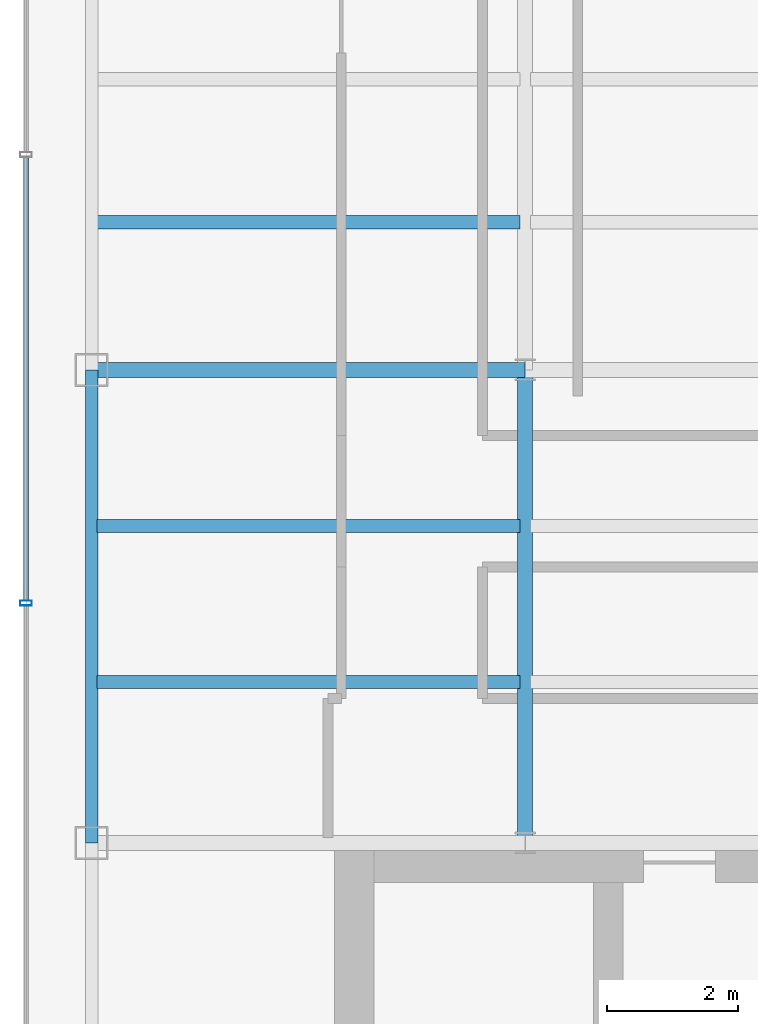
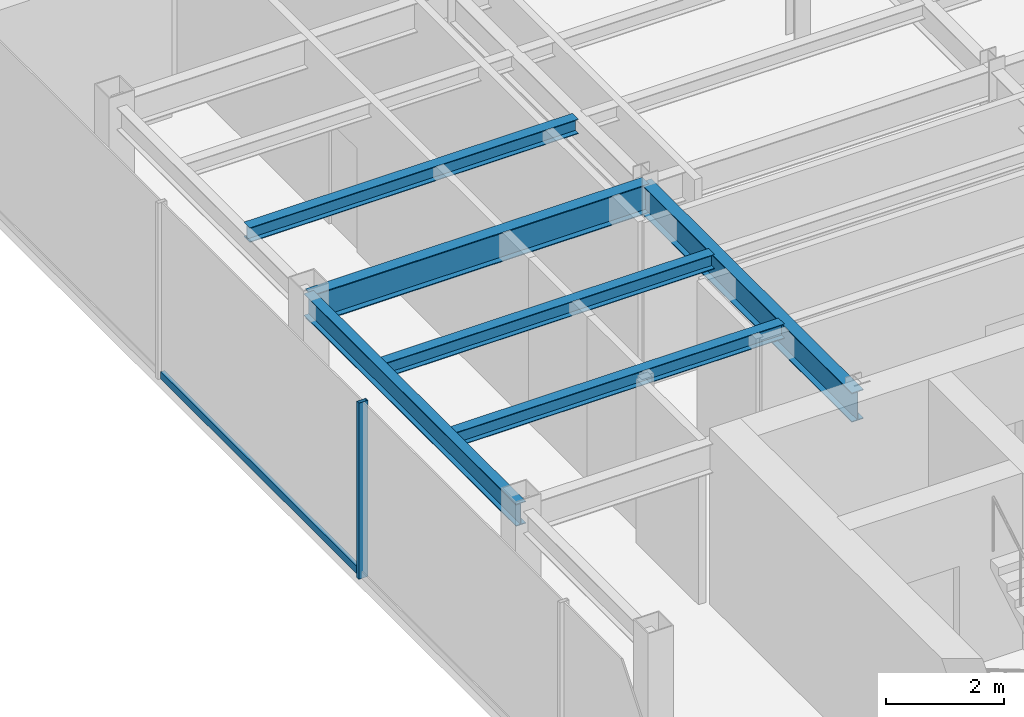
# One storey, part 5 of 22: 6 beams, 2 members, 1 element without a shape of its own.
"""IFC4 building model written with IfcOpenShell, lengths in metres."""

from ifc_helpers import new_model, si_unit, derived_unit, direction, frame, origin, origin_2d, place, context, subcontext, project, spatial, hollow_rectangle, i_section, extrude, source, transform, mapped, material, material_profile, profile_set, type_object, element, aggregate, save


model = new_model("IFC4")

# Units and contexts
model_context = context("Model", 3, precision=1e-05, world=origin(), true_north=direction((0.0, 1.0)))
body_context = subcontext(model_context, "Body", "Model", "MODEL_VIEW")
ifc_project = project(units=[si_unit("LENGTHUNIT", "METRE"), si_unit("AREAUNIT", "SQUARE_METRE"), si_unit("VOLUMEUNIT", "CUBIC_METRE"), si_unit("PLANEANGLEUNIT", "RADIAN"), si_unit("MASSUNIT", "GRAM", prefix="KILO"), derived_unit("THERMALTRANSMITTANCEUNIT", [(si_unit("POWERUNIT", "WATT"), 1), (si_unit("LENGTHUNIT", "METRE"), -2), (si_unit("THERMODYNAMICTEMPERATUREUNIT", "KELVIN"), -1)])], contexts=[model_context])

# Site, building, storey
site_placement = place(None, origin())
site = spatial("IfcSite", under=ifc_project, at=site_placement, CompositionType="ELEMENT")
building_placement = place(site_placement, origin())
building = spatial("IfcBuilding", under=site, at=building_placement, Name="Skarnbrae Concourse Arena and Tower", CompositionType="ELEMENT")
storey_placement = place(building_placement, frame((0.0, 0.0, 262.449951171875)))
storey = spatial("IfcBuildingStorey", under=building, at=storey_placement, Name="L68", CompositionType="ELEMENT", Elevation=262.449951171875)

# Beams
ifc_material_1 = material(Name="Steel CSA G40.21 350W", Category="steel")
ifc_material_profile_1 = material_profile(ifc_material_1, i_section(OverallWidth=0.22802734375, OverallDepth=0.60791015625, WebThickness=0.01123046875, FlangeThickness=0.017333984375, at=origin_2d()), Name="W610X113")
ifc_profile_set_1 = profile_set([ifc_material_profile_1], Name="Steel CSA G40.21 350W")
beam_type_1 = type_object("IfcBeamType", Name="BM-GIRD-W610X113", PredefinedType="BEAM", material=ifc_profile_set_1)
shared_shape_1 = source(origin(), body_context, "Body", "SweptSolid", [
    extrude(i_section(OverallWidth=0.22802734375, OverallDepth=0.60791015625, WebThickness=0.01123046875, FlangeThickness=0.017333984375, at=origin_2d()), origin(), (0.0, 0.0, 1.0), 6.60009765625),
])
beam_1_placement = place(storey_placement, frame((1.0, 21.199951171875, 3.095947265625), z_axis=(1.0, 0.0, 0.0), x_axis=(0.0, 1.0, 0.0)))
element("IfcBeam", 1, at=beam_1_placement, inside=storey, type_object=beam_type_1, Name="L68 Primary E-W girder Y21.2-1", PredefinedType="BEAM", context=body_context, shape_type="MappedRepresentation", body=[
    mapped(shared_shape_1, transform((0.0, 0.0, 0.0))),
])
ifc_material_profile_2 = material_profile(ifc_material_1, i_section(OverallWidth=0.19091796875, OverallDepth=0.4599609375, WebThickness=0.010009765625, FlangeThickness=0.01611328125, at=origin_2d()), Name="W460X82")
ifc_profile_set_2 = profile_set([ifc_material_profile_2], Name="Steel CSA G40.21 350W")
beam_type_2 = type_object("IfcBeamType", Name="BM-SPAN-W460X82", PredefinedType="SPANDREL", material=ifc_profile_set_2)
shared_shape_2 = source(origin(), body_context, "Body", "SweptSolid", [
    extrude(i_section(OverallWidth=0.19091796875, OverallDepth=0.4599609375, WebThickness=0.010009765625, FlangeThickness=0.01611328125, at=origin_2d()), origin(), (0.0, 0.0, 1.0), 7.199951171875),
])
beam_2_placement = place(storey_placement, frame((1.0, 14.0, 3.170166015625), z_axis=(0.0, 1.0, 0.0), x_axis=(-1.0, 0.0, 0.0)))
element("IfcBeam", 2, at=beam_2_placement, inside=storey, type_object=beam_type_2, Name="L68 Perimeter spandrel X1.0-2", PredefinedType="SPANDREL", context=body_context, shape_type="MappedRepresentation", body=[
    mapped(shared_shape_2, transform((0.0, 0.0, 0.0))),
])
shared_shape_3 = source(origin(), body_context, "Body", "SweptSolid", [
    extrude(i_section(OverallWidth=0.22802734375, OverallDepth=0.60791015625, WebThickness=0.01123046875, FlangeThickness=0.017333984375, at=origin_2d()), origin(), (0.0, 0.0, 1.0), 7.199951171875),
])
beam_3_placement = place(storey_placement, frame((7.60009765625, 14.0, 3.095947265625), z_axis=(0.0, 1.0, 0.0), x_axis=(-1.0, 0.0, 0.0)))
element("IfcBeam", 3, at=beam_3_placement, inside=storey, type_object=beam_type_1, Name="L68 Primary N-S girder X7.6-1", PredefinedType="BEAM", context=body_context, shape_type="MappedRepresentation", body=[
    mapped(shared_shape_3, transform((0.0, 0.0, 0.0))),
])
ifc_material_profile_3 = material_profile(ifc_material_1, i_section(OverallWidth=0.202880859375, OverallDepth=0.302978515625, WebThickness=0.007568359375, FlangeThickness=0.01318359375, at=origin_2d()), Name="W310X60")
ifc_profile_set_3 = profile_set([ifc_material_profile_3], Name="Steel CSA G40.21 350W")
beam_type_3 = type_object("IfcBeamType", Name="BM-JOIST-W310X60", PredefinedType="JOIST", material=ifc_profile_set_3)
shared_shape_4 = source(origin(), body_context, "Body", "SweptSolid", [
    extrude(i_section(OverallWidth=0.202880859375, OverallDepth=0.302978515625, WebThickness=0.007568359375, FlangeThickness=0.01318359375, at=origin_2d()), origin(), (0.0, 0.0, 1.0), 6.43994140625),
])
for number, where, z_axis, x_axis, name in (
    (4, (1.080078125, 16.447998046875, 3.24853515625), (1.0, 0.0, 0.0), (0.0, 1.0, 0.0), "L68 Secondary floor joist 1.1.1"),
    (5, (1.080078125, 18.823974609375, 3.24853515625), (1.0, 0.0, 0.0), (0.0, 1.0, 0.0), "L68 Secondary floor joist 1.2.1"),
    (6, (1.080078125, 23.444091796875, 3.24853515625), (1.0, 0.0, 0.0), (0.0, 1.0, 0.0), "L68 Secondary floor joist 2.1.1"),
):
    element("IfcBeam", number, at=place(storey_placement, frame(where, z_axis=z_axis, x_axis=x_axis)), inside=storey, type_object=beam_type_3, Name=name, PredefinedType="JOIST", context=body_context, shape_type="MappedRepresentation", body=[
        mapped(shared_shape_4, transform((0.0, 0.0, 0.0))),
    ])

# Curtain wall, members
ifc_material_2 = material(Name="Bronze anodised aluminium 6063-T6", Category="aluminium")
curtain_wall_type = type_object("IfcCurtainWallType", Name="CW-SYS-05-HIGHZONE", PredefinedType="USERDEFINED", material=ifc_material_2)
curtain_wall_placement = place(storey_placement, origin())
curtain_wall = element("IfcCurtainWall", 7, at=curtain_wall_placement, inside=storey, type_object=curtain_wall_type, Name="L68 Unitised curtain wall CW-L68-E18", ObjectType="UNITISED CURTAIN WALL", PredefinedType="USERDEFINED")
ifc_material_profile_4 = material_profile(ifc_material_2, hollow_rectangle(XDim=0.074951171875, YDim=0.14990234375, WallThickness=0.00390625, at=origin_2d()), Name="ALU-TRAN-75X150")
ifc_profile_set_4 = profile_set([ifc_material_profile_4], Name="Bronze anodised aluminium 6063-T6")
member_type_1 = type_object("IfcMemberType", Name="CWT-CW-05", PredefinedType="USERDEFINED", material=ifc_profile_set_4)
shared_shape_5 = source(origin(), body_context, "Body", "SweptSolid", [
    extrude(hollow_rectangle(XDim=0.074951171875, YDim=0.14990234375, WallThickness=0.00390625, at=origin_2d()), origin(), (0.0, 0.0, 1.0), 6.75),
])
member_1_placement = place(storey_placement, frame((0.0, 24.4375, 0.074951171875), z_axis=(0.0, -1.0, 0.0), x_axis=(1.0, 0.0, 0.0)))
member_1 = element("IfcMember", 8, at=member_1_placement, type_object=member_type_1, Name="CW-L68-E18 Transom 2", ObjectType="TRANSOM", PredefinedType="USERDEFINED", context=body_context, shape_type="MappedRepresentation", body=[
    mapped(shared_shape_5, transform((0.0, 0.0, 0.0))),
])
ifc_material_profile_5 = material_profile(ifc_material_2, hollow_rectangle(XDim=0.074951171875, YDim=0.179931640625, WallThickness=0.00390625, at=origin_2d()), Name="ALU-MULL-75X180")
ifc_profile_set_5 = profile_set([ifc_material_profile_5], Name="Bronze anodised aluminium 6063-T6")
member_type_2 = type_object("IfcMemberType", Name="CWM-CW-05", PredefinedType="MULLION", material=ifc_profile_set_5)
shared_shape_6 = source(origin(), body_context, "Body", "SweptSolid", [
    extrude(hollow_rectangle(XDim=0.074951171875, YDim=0.179931640625, WallThickness=0.00390625, at=origin_2d()), origin(), (0.0, 0.0, 1.0), 3.650146484375),
])
member_2_placement = place(storey_placement, frame((0.0, 17.64990234375, 0.0), z_axis=(0.0, 0.0, 1.0), x_axis=(0.0, -1.0, 0.0)))
member_2 = element("IfcMember", 9, at=member_2_placement, type_object=member_type_2, Name="CW-L68-E18 Mullion 3", PredefinedType="MULLION", context=body_context, shape_type="MappedRepresentation", body=[
    mapped(shared_shape_6, transform((0.0, 0.0, 0.0))),
])
aggregate(curtain_wall, [member_2, member_1])

save(model, "model.ifc")
